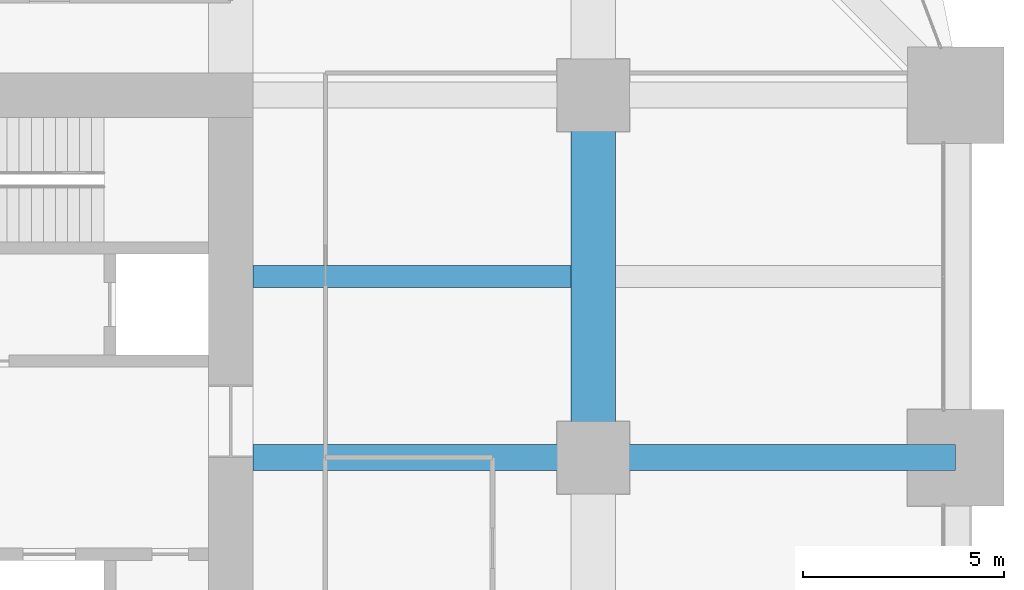
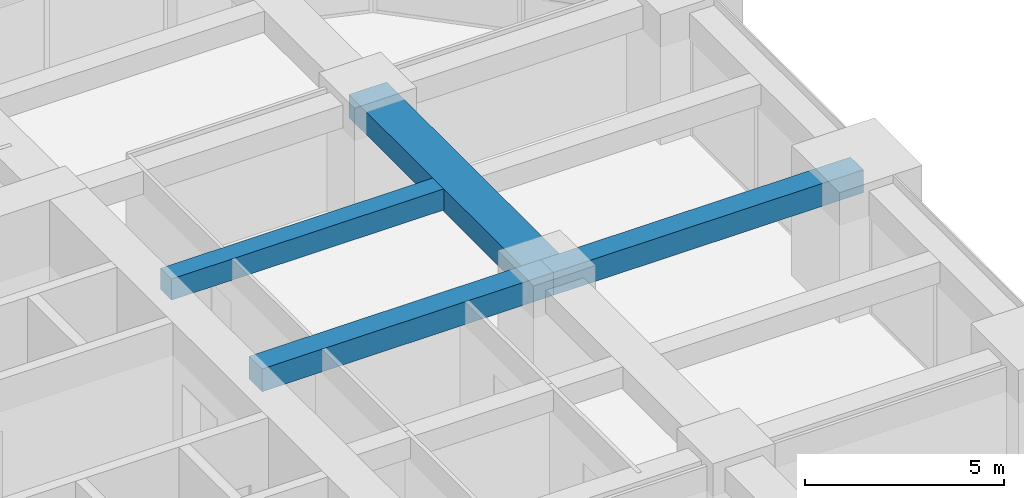
# One storey, part 22 of 39: 4 beams.
"""IFC4 building model written with IfcOpenShell, lengths in metres."""

from ifc_helpers import new_model, si_unit, direction, frame, origin, origin_2d, place, context, subcontext, project, spatial, rectangle, extrude, material, material_profile, profile_set, type_object, element, save


model = new_model("IFC4")

# Units and contexts
model_context = context("Model", 3, precision=1e-05, world=origin(), true_north=direction((0.0, 1.0)))
body_context = subcontext(model_context, "Body", "Model", "MODEL_VIEW")
ifc_project = project(units=[si_unit("LENGTHUNIT", "METRE"), si_unit("AREAUNIT", "SQUARE_METRE"), si_unit("VOLUMEUNIT", "CUBIC_METRE"), si_unit("PLANEANGLEUNIT", "RADIAN"), si_unit("MASSUNIT", "GRAM", prefix="KILO")], contexts=[model_context])

# Site, building, storey
site_placement = place(None, origin())
site = spatial("IfcSite", under=ifc_project, at=site_placement, CompositionType="ELEMENT")
building_placement = place(site_placement, origin())
building = spatial("IfcBuilding", under=site, at=building_placement, Name="Zorevar Civic Tower", CompositionType="ELEMENT")
storey_placement = place(building_placement, frame((0.0, 0.0, 125.0)))
storey = spatial("IfcBuildingStorey", under=building, at=storey_placement, Name="L30", CompositionType="ELEMENT", Elevation=125.0)

# Beams
ifc_material_1 = material(Name="Concrete C50/60", Category="concrete")
ifc_material_profile_1 = material_profile(ifc_material_1, rectangle(XDim=1.10009765625, YDim=0.699951171875, at=origin_2d()), Name="RC 1100x700")
ifc_profile_set_1 = profile_set([ifc_material_profile_1], Name="Concrete C50/60")
beam_type_1 = type_object("IfcBeamType", Name="Beam RC 1100x700", PredefinedType="BEAM", material=ifc_profile_set_1)
beam_1_placement = place(storey_placement, frame((54.0, 27.0, 3.39990234375), z_axis=(0.0, 1.0, 0.0), x_axis=(-1.0, 0.0, 0.0)))
element("IfcBeam", 1, at=beam_1_placement, inside=storey, type_object=beam_type_1, Name="Girder L31", PredefinedType="BEAM", context=body_context, shape_type="SweptSolid", body=[
    extrude(rectangle(XDim=1.10009765625, YDim=0.699951171875, at=origin_2d()), origin(), (0.0, 0.0, 1.0), 9.0),
])
ifc_material_2 = material(Name="Concrete C50/60", Category="concrete")
ifc_material_profile_2 = material_profile(ifc_material_2, rectangle(XDim=0.550048828125, YDim=0.64990234375, at=origin_2d()), Name="RC 550x650")
ifc_profile_set_2 = profile_set([ifc_material_profile_2], Name="Concrete C50/60")
beam_type_2 = type_object("IfcBeamType", Name="Beam RC 550x650", PredefinedType="BEAM", material=ifc_profile_set_2)
beam_2_placement = place(storey_placement, frame((45.550048828125, 31.5, 3.425048828125), z_axis=(1.0, 0.0, 0.0), x_axis=(0.0, 1.0, 0.0)))
element("IfcBeam", 2, at=beam_2_placement, inside=storey, type_object=beam_type_2, Name="Secondary beam L31", PredefinedType="BEAM", context=body_context, shape_type="SweptSolid", body=[
    extrude(rectangle(XDim=0.550048828125, YDim=0.64990234375, at=origin_2d()), origin(), (0.0, 0.0, 1.0), 7.89990234375),
])
ifc_material_3 = material(Name="Concrete C50/60", Category="concrete")
ifc_material_profile_3 = material_profile(ifc_material_3, rectangle(XDim=0.64990234375, YDim=0.699951171875, at=origin_2d()), Name="RC 650x700")
ifc_profile_set_3 = profile_set([ifc_material_profile_3], Name="Concrete C50/60")
beam_type_3 = type_object("IfcBeamType", Name="Beam RC 650x700", PredefinedType="BEAM", material=ifc_profile_set_3)
beam_3_placement = place(storey_placement, frame((45.550048828125, 27.0, 3.39990234375), z_axis=(1.0, 0.0, 0.0), x_axis=(0.0, 1.0, 0.0)))
element("IfcBeam", 3, at=beam_3_placement, inside=storey, type_object=beam_type_3, Name="Girder L31", PredefinedType="BEAM", context=body_context, shape_type="SweptSolid", body=[
    extrude(rectangle(XDim=0.64990234375, YDim=0.699951171875, at=origin_2d()), origin(), (0.0, 0.0, 1.0), 8.449951171875),
])
beam_4_placement = place(storey_placement, frame((54.0, 27.0, 3.39990234375), z_axis=(1.0, 0.0, 0.0), x_axis=(0.0, 1.0, 0.0)))
element("IfcBeam", 4, at=beam_4_placement, inside=storey, type_object=beam_type_3, Name="Girder L31", PredefinedType="BEAM", context=body_context, shape_type="SweptSolid", body=[
    extrude(rectangle(XDim=0.64990234375, YDim=0.699951171875, at=origin_2d()), origin(), (0.0, 0.0, 1.0), 9.0),
])

save(model, "model.ifc")
